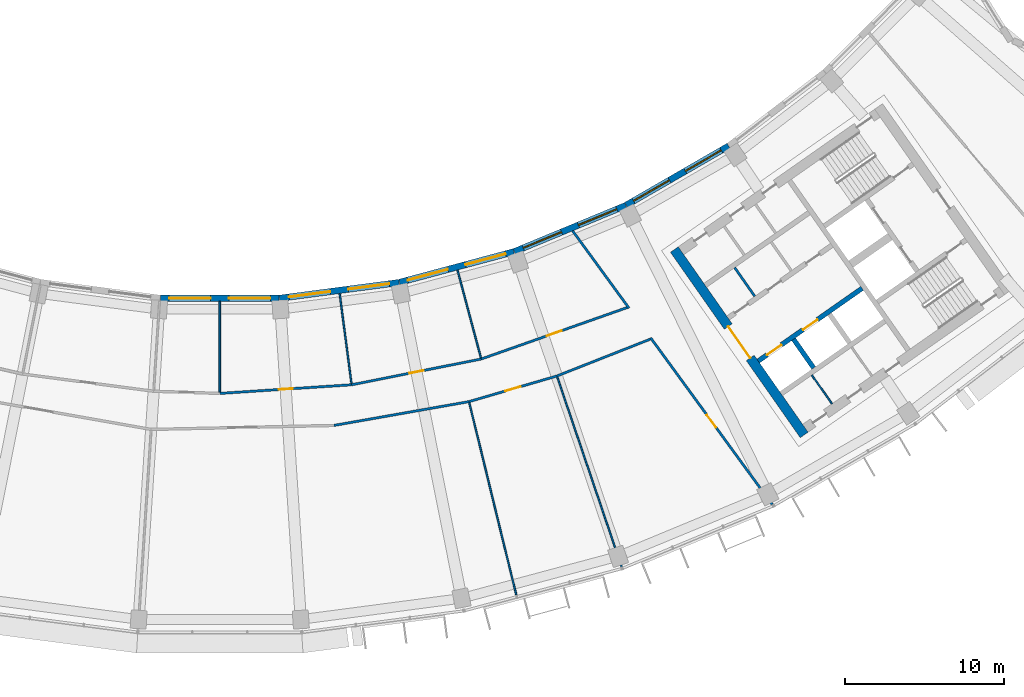
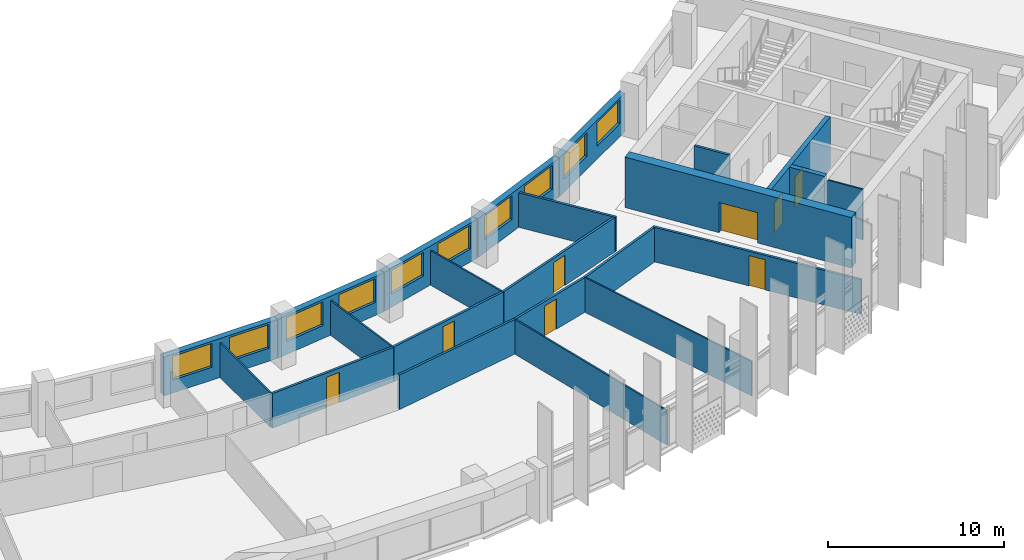
# One storey, part 6 of 28: 23 walls, 10 windows, 8 doors, 18 openings.
"""IFC4 building model written with IfcOpenShell, lengths in metres."""

from ifc_helpers import new_model, si_unit, direction, frame, frame_2d, origin, place, context, subcontext, project, spatial, rectangle, extrude, material, layer, layer_set, type_object, element, fill, save


model = new_model("IFC4")

# Units and contexts
model_context = context("Model", 3, precision=1e-05, world=origin(), true_north=direction((0.0, 1.0)))
body_context = subcontext(model_context, "Body", "Model", "MODEL_VIEW")
ifc_project = project(units=[si_unit("LENGTHUNIT", "METRE"), si_unit("AREAUNIT", "SQUARE_METRE"), si_unit("VOLUMEUNIT", "CUBIC_METRE"), si_unit("PLANEANGLEUNIT", "RADIAN"), si_unit("MASSUNIT", "GRAM", prefix="KILO")], contexts=[model_context])

# Site, building, storey
site_placement = place(None, origin())
site = spatial("IfcSite", under=ifc_project, at=site_placement, CompositionType="ELEMENT")
building_placement = place(site_placement, origin())
building = spatial("IfcBuilding", under=site, at=building_placement, Name="Qamariyya Broadcast Tower", CompositionType="ELEMENT")
storey_placement = place(building_placement, frame((0.0, 0.0, 218.89990234375)))
storey = spatial("IfcBuildingStorey", under=building, at=storey_placement, Name="L52", CompositionType="ELEMENT", Elevation=218.89990234375)

# Wall, opening, door
ifc_material_1 = material(Name="Concrete C60/75", Category="concrete")
ifc_layer_1 = layer(ifc_material_1, 0.60009765625)
ifc_layer_set_1 = layer_set([ifc_layer_1], Name="Core wall 600 mm Concrete C60/75")
wall_type_1 = type_object("IfcWallType", Name="Core wall 600 mm Concrete C60/75", PredefinedType="SHEAR", material=ifc_layer_set_1)
wall_1_placement = place(storey_placement, frame((36.66748046875, -66.005126953125, 0.0), z_axis=(0.0, 0.0, 1.0), x_axis=(-0.573568499524, 0.819157601658, 0.0)))
wall_1 = element("IfcWall", 1, at=wall_1_placement, inside=storey, type_object=wall_type_1, Name="k-E-L52-WA", PredefinedType="SHEAR", context=body_context, shape_type="SweptSolid", body=[
    extrude(rectangle(XDim=14.19970703125, YDim=0.60009765625, at=frame_2d((7.099853515625, 0.0))), origin(), (0.0, 0.0, 1.0), 3.5),
])
opening_1_placement = place(wall_1_placement, frame((5.89990234375, 0.0, 0.0)))
opening_1 = element("IfcOpeningElement", 2, at=opening_1_placement, cuts=wall_1, Name="Opening KD3-E1", PredefinedType="OPENING", context=body_context, shape_type="SweptSolid", body=[
    extrude(rectangle(XDim=2.39990234375, YDim=2.10009765625, at=frame_2d((1.199951171875, 1.050048828125))), frame((0.0, 0.31005859375, 0.0), z_axis=(0.0, -1.0, 0.0), x_axis=(1.0, 0.0, 0.0)), (0.0, 0.0, 1.0), 0.6201171875),
])
ifc_material_2 = material(Name="Steel fire-resisting door leaf", Category="steel")
door_type_1 = type_object("IfcDoorType", Name="Lift lobby door KD3", OperationType="DOUBLE_DOOR_SINGLE_SWING", PredefinedType="DOOR", material=ifc_material_2)
door_1_placement = place(opening_1_placement, origin())
door_1 = element("IfcDoor", 3, at=door_1_placement, inside=storey, type_object=door_type_1, Name="k-E-L52-WA-D1", OperationType="DOUBLE_DOOR_SINGLE_SWING", OverallHeight=2.10009765625, OverallWidth=2.39990234375, PredefinedType="DOOR", context=body_context, shape_type="SweptSolid", body=[
    extrude(rectangle(XDim=2.39990234375, YDim=2.10009765625, at=frame_2d((1.199951171875, 1.050048828125))), frame((0.0, 0.02490234375, 0.0), z_axis=(0.0, -1.0, 0.0), x_axis=(1.0, 0.0, 0.0)), (0.0, 0.0, 1.0), 0.050048828125),
])
fill(opening_1, door_1)

ifc_material_3 = material(Name="Gypsum board partition")
ifc_layer_2 = layer(ifc_material_3, 0.14990234375)
ifc_layer_set_2 = layer_set([ifc_layer_2], Name="Corridor partition 150 EI 60")
wall_type_2 = type_object("IfcWallType", Name="Corridor partition 150 EI 60", PredefinedType="PARTITIONING", material=ifc_layer_set_2)
wall_2_placement = place(storey_placement, frame((0.0, -63.39990234375, 0.0), z_axis=(0.0, 0.0, 1.0), x_axis=(0.997860193426, 0.065383747038, 0.0)))
wall_2 = element("IfcWall", 4, at=wall_2_placement, inside=storey, type_object=wall_type_2, Name="Partition L52-020", PredefinedType="PARTITIONING", context=body_context, shape_type="SweptSolid", body=[
    extrude(rectangle(XDim=8.293212890625, YDim=0.14990234375, at=frame_2d((4.146484375, 0.0))), origin(), (0.0, 0.0, 1.0), 2.400146484375),
])
opening_2_placement = place(wall_2_placement, frame((3.696533203125, 0.0, 0.0)))
opening_2 = element("IfcOpeningElement", 5, at=opening_2_placement, cuts=wall_2, Name="Opening L52-D12", PredefinedType="OPENING", context=body_context, shape_type="SweptSolid", body=[
    extrude(rectangle(XDim=0.89990234375, YDim=2.10009765625, at=frame_2d((0.449951171875, 1.050048828125))), frame((0.0, 0.0849609375, 0.0), z_axis=(0.0, -1.0, 0.0), x_axis=(1.0, 0.0, 0.0)), (0.0, 0.0, 1.0), 0.169921875),
])
ifc_material_4 = material(Name="Timber fire door leaf", Category="wood")
door_type_2 = type_object("IfcDoorType", Name="Fire door 900 x 2100 FD60", OperationType="NOTDEFINED", PredefinedType="DOOR", material=ifc_material_4)
door_2_placement = place(opening_2_placement, origin())
door_2 = element("IfcDoor", 6, at=door_2_placement, inside=storey, type_object=door_type_2, Name="Door L52-D12", OperationType="SINGLE_SWING_RIGHT", OverallHeight=2.10009765625, OverallWidth=0.89990234375, PredefinedType="DOOR", context=body_context, shape_type="SweptSolid", body=[
    extrude(rectangle(XDim=0.89990234375, YDim=2.10009765625, at=frame_2d((0.449951171875, 1.050048828125))), frame((0.0, 0.02490234375, 0.0), z_axis=(0.0, -1.0, 0.0), x_axis=(1.0, 0.0, 0.0)), (0.0, 0.0, 1.0), 0.050048828125),
])
fill(opening_2, door_2)

# Wall
wall_3_placement = place(storey_placement, frame((7.170166015625, -65.407470703125, 0.0), z_axis=(0.0, 0.0, 1.0), x_axis=(0.984816127863, 0.173600674829, 0.0)))
element("IfcWall", 7, at=wall_3_placement, inside=storey, type_object=wall_type_2, Name="Partition L52-022", PredefinedType="PARTITIONING", context=body_context, shape_type="SweptSolid", body=[
    extrude(rectangle(XDim=8.598388671875, YDim=0.14990234375, at=frame_2d((4.29931640625, 0.0))), origin(), (0.0, 0.0, 1.0), 2.400146484375),
])

# Wall, opening, door
wall_4_placement = place(storey_placement, frame((8.275390625, -62.857666015625, 0.0), z_axis=(0.0, 0.0, 1.0), x_axis=(0.98078508005, 0.195091329256, 0.0)))
wall_4 = element("IfcWall", 8, at=wall_4_placement, inside=storey, type_object=wall_type_2, Name="Partition L52-024", PredefinedType="PARTITIONING", context=body_context, shape_type="SweptSolid", body=[
    extrude(rectangle(XDim=8.293212890625, YDim=0.14990234375, at=frame_2d((4.146484375, 0.0))), origin(), (0.0, 0.0, 1.0), 2.400146484375),
])
opening_3_placement = place(wall_4_placement, frame((3.696533203125, 0.0, 0.0)))
opening_3 = element("IfcOpeningElement", 9, at=opening_3_placement, cuts=wall_4, Name="Opening L52-D13", PredefinedType="OPENING", context=body_context, shape_type="SweptSolid", body=[
    extrude(rectangle(XDim=0.89990234375, YDim=2.10009765625, at=frame_2d((0.449951171875, 1.050048828125))), frame((0.0, 0.0849609375, 0.0), z_axis=(0.0, -1.0, 0.0), x_axis=(1.0, 0.0, 0.0)), (0.0, 0.0, 1.0), 0.169921875),
])
door_3_placement = place(opening_3_placement, origin())
door_3 = element("IfcDoor", 10, at=door_3_placement, inside=storey, type_object=door_type_2, Name="Door L52-D13", OperationType="SINGLE_SWING_RIGHT", OverallHeight=2.10009765625, OverallWidth=0.89990234375, PredefinedType="DOOR", context=body_context, shape_type="SweptSolid", body=[
    extrude(rectangle(XDim=0.89990234375, YDim=2.10009765625, at=frame_2d((0.449951171875, 1.050048828125))), frame((0.0, 0.02490234375, 0.0), z_axis=(0.0, -1.0, 0.0), x_axis=(1.0, 0.0, 0.0)), (0.0, 0.0, 1.0), 0.050048828125),
])
fill(opening_3, door_3)

wall_5_placement = place(storey_placement, frame((21.150634765625, -62.30810546875, 0.0), z_axis=(0.0, 0.0, 1.0), x_axis=(-0.960055220634, -0.279810602612, 0.0)))
wall_5 = element("IfcWall", 11, at=wall_5_placement, inside=storey, type_object=wall_type_2, Name="Partition L52-026", PredefinedType="PARTITIONING", context=body_context, shape_type="SweptSolid", body=[
    extrude(rectangle(XDim=5.741943359375, YDim=0.14990234375, at=frame_2d((2.87109375, 0.0))), origin(), (0.0, 0.0, 1.0), 2.400146484375),
])
opening_4_placement = place(wall_5_placement, frame((2.37109375, 0.0, 0.0)))
opening_4 = element("IfcOpeningElement", 12, at=opening_4_placement, cuts=wall_5, Name="Opening L52-D05", PredefinedType="OPENING", context=body_context, shape_type="SweptSolid", body=[
    extrude(rectangle(XDim=1.0, YDim=2.10009765625, at=frame_2d((0.5, 1.050048828125))), frame((0.0, 0.0849609375, 0.0), z_axis=(0.0, -1.0, 0.0), x_axis=(1.0, 0.0, 0.0)), (0.0, 0.0, 1.0), 0.169921875),
])
door_type_3 = type_object("IfcDoorType", Name="Fire door 1000 x 2100 FD60", OperationType="NOTDEFINED", PredefinedType="DOOR", material=ifc_material_4)
door_4_placement = place(opening_4_placement, origin())
door_4 = element("IfcDoor", 13, at=door_4_placement, inside=storey, type_object=door_type_3, Name="Door L52-D05", OperationType="SINGLE_SWING_RIGHT", OverallHeight=2.10009765625, OverallWidth=1.0, PredefinedType="DOOR", context=body_context, shape_type="SweptSolid", body=[
    extrude(rectangle(XDim=1.0, YDim=2.10009765625, at=frame_2d((0.5, 1.050048828125))), frame((0.0, 0.02490234375, 0.0), z_axis=(0.0, -1.0, 0.0), x_axis=(1.0, 0.0, 0.0)), (0.0, 0.0, 1.0), 0.050048828125),
])
fill(opening_4, door_4)

wall_6_placement = place(storey_placement, frame((16.4091796875, -61.23974609375, 0.0), z_axis=(0.0, 0.0, 1.0), x_axis=(0.943087830275, 0.332543748081, 0.0)))
wall_6 = element("IfcWall", 14, at=wall_6_placement, inside=storey, type_object=wall_type_2, Name="Partition L52-027", PredefinedType="PARTITIONING", context=body_context, shape_type="SweptSolid", body=[
    extrude(rectangle(XDim=9.7041015625, YDim=0.14990234375, at=frame_2d((4.85205078125, 0.0))), origin(), (0.0, 0.0, 1.0), 2.400146484375),
])
opening_5_placement = place(wall_6_placement, frame((4.35205078125, 0.0, 0.0)))
opening_5 = element("IfcOpeningElement", 15, at=opening_5_placement, cuts=wall_6, Name="Opening L52-D14", PredefinedType="OPENING", context=body_context, shape_type="SweptSolid", body=[
    extrude(rectangle(XDim=1.0, YDim=2.10009765625, at=frame_2d((0.5, 1.050048828125))), frame((0.0, 0.0849609375, 0.0), z_axis=(0.0, -1.0, 0.0), x_axis=(1.0, 0.0, 0.0)), (0.0, 0.0, 1.0), 0.169921875),
])
door_5_placement = place(opening_5_placement, origin())
door_5 = element("IfcDoor", 16, at=door_5_placement, inside=storey, type_object=door_type_3, Name="Door L52-D14", OperationType="SINGLE_SWING_RIGHT", OverallHeight=2.10009765625, OverallWidth=1.0, PredefinedType="DOOR", context=body_context, shape_type="SweptSolid", body=[
    extrude(rectangle(XDim=1.0, YDim=2.10009765625, at=frame_2d((0.5, 1.050048828125))), frame((0.0, 0.02490234375, 0.0), z_axis=(0.0, -1.0, 0.0), x_axis=(1.0, 0.0, 0.0)), (0.0, 0.0, 1.0), 0.050048828125),
])
fill(opening_5, door_5)

# Walls
wall_7_placement = place(storey_placement, frame((21.150634765625, -62.30810546875, 0.0), z_axis=(0.0, 0.0, 1.0), x_axis=(0.930254850636, 0.366914040162, 0.0)))
element("IfcWall", 17, at=wall_7_placement, inside=storey, type_object=wall_type_2, Name="Partition L52-029", PredefinedType="PARTITIONING", context=body_context, shape_type="SweptSolid", body=[
    extrude(rectangle(XDim=6.296630859375, YDim=0.14990234375, at=frame_2d((3.1484375, 0.0))), origin(), (0.0, 0.0, 1.0), 2.400146484375),
])
wall_8_placement = place(storey_placement, frame((22.135498046875, -53.1943359375, 0.0), z_axis=(0.0, 0.0, 1.0), x_axis=(0.589297062476, -0.807916438846, 0.0)))
element("IfcWall", 18, at=wall_8_placement, inside=storey, type_object=wall_type_2, Name="Partition L52-030", PredefinedType="PARTITIONING", context=body_context, shape_type="SweptSolid", body=[
    extrude(rectangle(XDim=6.008056640625, YDim=0.14990234375, at=frame_2d((3.00390625, 0.0))), origin(), (0.0, 0.0, 1.0), 2.400146484375),
])

# Wall, opening, door
wall_9_placement = place(storey_placement, frame((34.668212890625, -70.37744140625, 0.0), z_axis=(0.0, 0.0, 1.0), x_axis=(-0.589273648147, 0.807933516819, 0.0)))
wall_9 = element("IfcWall", 19, at=wall_9_placement, inside=storey, type_object=wall_type_2, Name="Partition L52-032", PredefinedType="PARTITIONING", context=body_context, shape_type="SweptSolid", body=[
    extrude(rectangle(XDim=12.956298828125, YDim=0.14990234375, at=frame_2d((6.47802734375, 0.0))), origin(), (0.0, 0.0, 1.0), 2.400146484375),
])
opening_6_placement = place(wall_9_placement, frame((5.97802734375, 0.0, 0.0)))
opening_6 = element("IfcOpeningElement", 20, at=opening_6_placement, cuts=wall_9, Name="Opening L52-D06", PredefinedType="OPENING", context=body_context, shape_type="SweptSolid", body=[
    extrude(rectangle(XDim=1.0, YDim=2.10009765625, at=frame_2d((0.5, 1.050048828125))), frame((0.0, 0.0849609375, 0.0), z_axis=(0.0, -1.0, 0.0), x_axis=(1.0, 0.0, 0.0)), (0.0, 0.0, 1.0), 0.169921875),
])
door_6_placement = place(opening_6_placement, origin())
door_6 = element("IfcDoor", 21, at=door_6_placement, inside=storey, type_object=door_type_3, Name="Door L52-D06", OperationType="SINGLE_SWING_RIGHT", OverallHeight=2.10009765625, OverallWidth=1.0, PredefinedType="DOOR", context=body_context, shape_type="SweptSolid", body=[
    extrude(rectangle(XDim=1.0, YDim=2.10009765625, at=frame_2d((0.5, 1.050048828125))), frame((0.0, 0.02490234375, 0.0), z_axis=(0.0, -1.0, 0.0), x_axis=(1.0, 0.0, 0.0)), (0.0, 0.0, 1.0), 0.050048828125),
])
fill(opening_6, door_6)

# Wall
ifc_material_5 = material(Name="Gypsum board partition on steel studs", Category="steel")
ifc_layer_3 = layer(ifc_material_5, 0.14990234375)
ifc_layer_set_3 = layer_set([ifc_layer_3], Name="Gypsum board partition 150 mm")
wall_type_3 = type_object("IfcWallType", Name="Gypsum board partition 150 mm", PredefinedType="PARTITIONING", material=ifc_layer_set_3)
wall_10_placement = place(storey_placement, frame((33.569580078125, -57.3095703125, 0.0), z_axis=(0.0, 0.0, 1.0), x_axis=(-0.573507030513, 0.819200638399, 0.0)))
element("IfcWall", 22, at=wall_10_placement, inside=storey, type_object=wall_type_3, Name="k-E-L52-NC215", PredefinedType="PARTITIONING", context=body_context, shape_type="SweptSolid", body=[
    extrude(rectangle(XDim=2.199951171875, YDim=0.14990234375, at=frame_2d((1.10009765625, 0.0))), origin(), (0.0, 0.0, 1.0), 3.5),
])

# Wall, openings, doors
ifc_layer_4 = layer(ifc_material_1, 0.300048828125)
ifc_layer_set_4 = layer_set([ifc_layer_4], Name="Lift shaft wall 300 mm Concrete C60/75")
wall_type_4 = type_object("IfcWallType", Name="Lift shaft wall 300 mm Concrete C60/75", PredefinedType="SOLIDWALL", material=ifc_layer_set_4)
wall_11_placement = place(storey_placement, frame((33.787353515625, -61.368896484375, 0.0), z_axis=(0.0, 0.0, 1.0), x_axis=(0.819152564888, 0.573575692858, 0.0)))
wall_11 = element("IfcWall", 23, at=wall_11_placement, inside=storey, type_object=wall_type_4, Name="k-E-L52-SF0", PredefinedType="SOLIDWALL", context=body_context, shape_type="SweptSolid", body=[
    extrude(rectangle(XDim=7.9501953125, YDim=0.300048828125, at=frame_2d((3.97509765625, 0.0))), origin(), (0.0, 0.0, 1.0), 3.5),
])
opening_7_placement = place(wall_11_placement, frame((0.675048828125, 0.0, 0.0)))
opening_7 = element("IfcOpeningElement", 24, at=opening_7_placement, cuts=wall_11, Name="Opening LD", PredefinedType="OPENING", context=body_context, shape_type="SweptSolid", body=[
    extrude(rectangle(XDim=1.10009765625, YDim=2.10009765625, at=frame_2d((0.550048828125, 1.050048828125))), frame((0.0, 0.159912109375, 0.0), z_axis=(0.0, -1.0, 0.0), x_axis=(1.0, 0.0, 0.0)), (0.0, 0.0, 1.0), 0.320068359375),
])
opening_8_placement = place(wall_11_placement, frame((3.425048828125, 0.0, 0.0)))
opening_8 = element("IfcOpeningElement", 25, at=opening_8_placement, cuts=wall_11, Name="Opening LD", PredefinedType="OPENING", context=body_context, shape_type="SweptSolid", body=[
    extrude(rectangle(XDim=1.10009765625, YDim=2.10009765625, at=frame_2d((0.550048828125, 1.050048828125))), frame((0.0, 0.159912109375, 0.0), z_axis=(0.0, -1.0, 0.0), x_axis=(1.0, 0.0, 0.0)), (0.0, 0.0, 1.0), 0.320068359375),
])
door_type_4 = type_object("IfcDoorType", Name="Lift landing door LD", OperationType="DOUBLE_DOOR_SLIDING", PredefinedType="DOOR", material=ifc_material_2)
door_7_placement = place(opening_7_placement, origin())
door_7 = element("IfcDoor", 26, at=door_7_placement, inside=storey, type_object=door_type_4, Name="k-E-L52-SF0-D5", OperationType="DOUBLE_DOOR_SLIDING", OverallHeight=2.10009765625, OverallWidth=1.10009765625, PredefinedType="DOOR", context=body_context, shape_type="SweptSolid", body=[
    extrude(rectangle(XDim=1.10009765625, YDim=2.10009765625, at=frame_2d((0.550048828125, 1.050048828125))), frame((0.0, 0.02490234375, 0.0), z_axis=(0.0, -1.0, 0.0), x_axis=(1.0, 0.0, 0.0)), (0.0, 0.0, 1.0), 0.050048828125),
])
fill(opening_7, door_7)
door_8_placement = place(opening_8_placement, origin())
door_8 = element("IfcDoor", 27, at=door_8_placement, inside=storey, type_object=door_type_4, Name="k-E-L52-SF0-D6", OperationType="DOUBLE_DOOR_SLIDING", OverallHeight=2.10009765625, OverallWidth=1.10009765625, PredefinedType="DOOR", context=body_context, shape_type="SweptSolid", body=[
    extrude(rectangle(XDim=1.10009765625, YDim=2.10009765625, at=frame_2d((0.550048828125, 1.050048828125))), frame((0.0, 0.02490234375, 0.0), z_axis=(0.0, -1.0, 0.0), x_axis=(1.0, 0.0, 0.0)), (0.0, 0.0, 1.0), 0.050048828125),
])
fill(opening_8, door_8)

# Walls
wall_12_placement = place(storey_placement, frame((36.003173828125, -60.000244140625, 0.0), z_axis=(0.0, 0.0, 1.0), x_axis=(0.573581496053, -0.819148501424, 0.0)))
element("IfcWall", 28, at=wall_12_placement, inside=storey, type_object=wall_type_4, Name="k-E-L52-SD0", PredefinedType="SOLIDWALL", context=body_context, shape_type="SweptSolid", body=[
    extrude(rectangle(XDim=2.2001953125, YDim=0.300048828125, at=frame_2d((1.10009765625, 0.0))), origin(), (0.0, 0.0, 1.0), 3.5),
])
ifc_layer_5 = layer(ifc_material_3, 0.10009765625)
ifc_layer_set_5 = layer_set([ifc_layer_5], Name="Partition 100")
wall_type_5 = type_object("IfcWallType", Name="Partition 100", PredefinedType="PARTITIONING", material=ifc_layer_set_5)
for number, where, z_axis, x_axis, name in (
    (29, (0.0, -57.627197265625, 0.0), (0.0, 0.0, 1.0), (0.0, -1.0, 0.0), "Partition L52-021"),
    (30, (7.52197265625, -57.13427734375, 0.0), (0.0, 0.0, 1.0), (0.130518800749, -0.991445834451, 0.0), "Partition L52-023"),
    (31, (14.9150390625, -55.66357421875, 0.0), (0.0, 0.0, 1.0), (0.258803907589, -0.965929882247, 0.0), "Partition L52-025"),
):
    element("IfcWall", number, at=place(storey_placement, frame(where, z_axis=z_axis, x_axis=x_axis)), inside=storey, type_object=wall_type_5, Name=name, PredefinedType="PARTITIONING", context=body_context, shape_type="SweptSolid", body=[
        extrude(rectangle(XDim=5.69775390625, YDim=0.10009765625, at=frame_2d((2.848876953125, 0.0))), origin(), (0.0, 0.0, 1.0), 2.400146484375),
    ])
wall_13_placement = place(storey_placement, frame((18.60888671875, -76.056884765625, 0.0), z_axis=(0.0, 0.0, 1.0), x_axis=(-0.237668980718, 0.971346207901, 0.0)))
element("IfcWall", 32, at=wall_13_placement, inside=storey, type_object=wall_type_5, Name="Partition L52-028", PredefinedType="PARTITIONING", context=body_context, shape_type="SweptSolid", body=[
    extrude(rectangle(XDim=12.42529296875, YDim=0.10009765625, at=frame_2d((6.212646484375, 0.0))), origin(), (0.0, 0.0, 1.0), 2.400146484375),
])
wall_14_placement = place(storey_placement, frame((25.217041015625, -74.28662109375, 0.0), z_axis=(0.0, 0.0, 1.0), x_axis=(-0.321447438057, 0.946927423072, 0.0)))
element("IfcWall", 33, at=wall_14_placement, inside=storey, type_object=wall_type_5, Name="Partition L52-031", PredefinedType="PARTITIONING", context=body_context, shape_type="SweptSolid", body=[
    extrude(rectangle(XDim=12.5751953125, YDim=0.10009765625, at=frame_2d((6.28759765625, 0.0))), origin(), (0.0, 0.0, 1.0), 2.400146484375),
])
ifc_material_6 = material(Name="Fire-rated gypsum shaft liner on steel studs", Category="steel")
ifc_layer_6 = layer(ifc_material_6, 0.10009765625)
ifc_layer_set_6 = layer_set([ifc_layer_6], Name="Riser wall 100 mm")
wall_type_6 = type_object("IfcWallType", Name="Riser wall 100 mm", PredefinedType="PLUMBINGWALL", material=ifc_layer_set_6)
wall_15_placement = place(storey_placement, frame((37.150390625, -62.2490234375, 0.0), z_axis=(0.0, 0.0, 1.0), x_axis=(0.573633636671, -0.819111989218, 0.0)))
element("IfcWall", 34, at=wall_15_placement, inside=storey, type_object=wall_type_6, Name="k-E-L52-SP225", PredefinedType="PLUMBINGWALL", context=body_context, shape_type="SweptSolid", body=[
    extrude(rectangle(XDim=2.199951171875, YDim=0.10009765625, at=frame_2d((1.10009765625, 0.0))), origin(), (0.0, 0.0, 1.0), 3.5),
])

# Wall, openings, windows
ifc_material_7 = material(Name="Terracotta", Category="masonry")
ifc_layer_7 = layer(ifc_material_7, 0.39990234375)
ifc_layer_set_7 = layer_set([ifc_layer_7], Name="Terracotta clad wall 400")
wall_type_7 = type_object("IfcWallType", Name="Terracotta clad wall 400", PredefinedType="SOLIDWALL", material=ifc_layer_set_7)
wall_16_placement = place(storey_placement, frame((18.449951171875, -54.50927734375, 0.0), z_axis=(0.0, 0.0, 1.0), x_axis=(-0.965924866111, -0.25882262851, 0.0)))
wall_16 = element("IfcWall", 35, at=wall_16_placement, inside=storey, type_object=wall_type_7, Name="e-wl-L52-in100", PredefinedType="SOLIDWALL", context=body_context, shape_type="SweptSolid", body=[
    extrude(rectangle(XDim=7.426513671875, YDim=0.39990234375, at=frame_2d((3.71337890625, 0.0))), origin(), (0.0, 0.0, 1.0), 2.7001953125),
])
opening_9_placement = place(wall_16_placement, frame((4.28857421875, 0.0, 0.89990234375)))
opening_9 = element("IfcOpeningElement", 36, at=opening_9_placement, cuts=wall_16, Name="Opening W1", PredefinedType="OPENING", context=body_context, shape_type="SweptSolid", body=[
    extrude(rectangle(XDim=2.60009765625, YDim=1.64990234375, at=frame_2d((1.300048828125, 0.824951171875))), frame((0.0, 0.2099609375, 0.0), z_axis=(0.0, -1.0, 0.0), x_axis=(1.0, 0.0, 0.0)), (0.0, 0.0, 1.0), 0.419921875),
])
opening_10_placement = place(wall_16_placement, frame((0.537841796875, 0.0, 0.89990234375)))
opening_10 = element("IfcOpeningElement", 37, at=opening_10_placement, cuts=wall_16, Name="Opening W1", PredefinedType="OPENING", context=body_context, shape_type="SweptSolid", body=[
    extrude(rectangle(XDim=2.60009765625, YDim=1.64990234375, at=frame_2d((1.300048828125, 0.824951171875))), frame((0.0, 0.2099609375, 0.0), z_axis=(0.0, -1.0, 0.0), x_axis=(1.0, 0.0, 0.0)), (0.0, 0.0, 1.0), 0.419921875),
])
ifc_material_8 = material(Name="Clear low-e double glazed unit in aluminium frame", Category="aluminium")
window_type = type_object("IfcWindowType", Name="Ribbon window 2600 x 1650", PartitioningType="SINGLE_PANEL", PredefinedType="WINDOW", material=ifc_material_8)
window_1_placement = place(opening_9_placement, origin())
window_1 = element("IfcWindow", 38, at=window_1_placement, inside=storey, type_object=window_type, Name="e-w-L52-in10-0", OverallHeight=1.64990234375, OverallWidth=2.60009765625, PartitioningType="SINGLE_PANEL", PredefinedType="WINDOW", context=body_context, shape_type="SweptSolid", body=[
    extrude(rectangle(XDim=2.60009765625, YDim=1.64990234375, at=frame_2d((1.300048828125, 0.824951171875))), frame((0.0, 0.030029296875, 0.0), z_axis=(0.0, -1.0, 0.0), x_axis=(1.0, 0.0, 0.0)), (0.0, 0.0, 1.0), 0.06005859375),
])
fill(opening_9, window_1)
window_2_placement = place(opening_10_placement, origin())
window_2 = element("IfcWindow", 39, at=window_2_placement, inside=storey, type_object=window_type, Name="e-w-L52-in10-1", OverallHeight=1.64990234375, OverallWidth=2.60009765625, PartitioningType="SINGLE_PANEL", PredefinedType="WINDOW", context=body_context, shape_type="SweptSolid", body=[
    extrude(rectangle(XDim=2.60009765625, YDim=1.64990234375, at=frame_2d((1.300048828125, 0.824951171875))), frame((0.0, 0.030029296875, 0.0), z_axis=(0.0, -1.0, 0.0), x_axis=(1.0, 0.0, 0.0)), (0.0, 0.0, 1.0), 0.06005859375),
])
fill(opening_10, window_2)

wall_17_placement = place(storey_placement, frame((25.47705078125, -51.60595703125, 0.0), z_axis=(0.0, 0.0, 1.0), x_axis=(-0.923884115122, -0.382672368777, 0.0)))
wall_17 = element("IfcWall", 40, at=wall_17_placement, inside=storey, type_object=wall_type_7, Name="e-wl-L52-in110", PredefinedType="SOLIDWALL", context=body_context, shape_type="SweptSolid", body=[
    extrude(rectangle(XDim=7.578125, YDim=0.39990234375, at=frame_2d((3.7890625, 0.0))), origin(), (0.0, 0.0, 1.0), 2.7001953125),
])
opening_11_placement = place(wall_17_placement, frame((4.364501953125, 0.0, 0.89990234375)))
opening_11 = element("IfcOpeningElement", 41, at=opening_11_placement, cuts=wall_17, Name="Opening W1", PredefinedType="OPENING", context=body_context, shape_type="SweptSolid", body=[
    extrude(rectangle(XDim=2.60009765625, YDim=1.64990234375, at=frame_2d((1.300048828125, 0.824951171875))), frame((0.0, 0.2099609375, 0.0), z_axis=(0.0, -1.0, 0.0), x_axis=(1.0, 0.0, 0.0)), (0.0, 0.0, 1.0), 0.419921875),
])
opening_12_placement = place(wall_17_placement, frame((0.613525390625, 0.0, 0.89990234375)))
opening_12 = element("IfcOpeningElement", 42, at=opening_12_placement, cuts=wall_17, Name="Opening W1", PredefinedType="OPENING", context=body_context, shape_type="SweptSolid", body=[
    extrude(rectangle(XDim=2.60009765625, YDim=1.64990234375, at=frame_2d((1.300048828125, 0.824951171875))), frame((0.0, 0.2099609375, 0.0), z_axis=(0.0, -1.0, 0.0), x_axis=(1.0, 0.0, 0.0)), (0.0, 0.0, 1.0), 0.419921875),
])
window_3_placement = place(opening_11_placement, origin())
window_3 = element("IfcWindow", 43, at=window_3_placement, inside=storey, type_object=window_type, Name="e-w-L52-in11-0", OverallHeight=1.64990234375, OverallWidth=2.60009765625, PartitioningType="SINGLE_PANEL", PredefinedType="WINDOW", context=body_context, shape_type="SweptSolid", body=[
    extrude(rectangle(XDim=2.60009765625, YDim=1.64990234375, at=frame_2d((1.300048828125, 0.824951171875))), frame((0.0, 0.030029296875, 0.0), z_axis=(0.0, -1.0, 0.0), x_axis=(1.0, 0.0, 0.0)), (0.0, 0.0, 1.0), 0.06005859375),
])
fill(opening_11, window_3)
window_4_placement = place(opening_12_placement, origin())
window_4 = element("IfcWindow", 44, at=window_4_placement, inside=storey, type_object=window_type, Name="e-w-L52-in11-1", OverallHeight=1.64990234375, OverallWidth=2.60009765625, PartitioningType="SINGLE_PANEL", PredefinedType="WINDOW", context=body_context, shape_type="SweptSolid", body=[
    extrude(rectangle(XDim=2.60009765625, YDim=1.64990234375, at=frame_2d((1.300048828125, 0.824951171875))), frame((0.0, 0.030029296875, 0.0), z_axis=(0.0, -1.0, 0.0), x_axis=(1.0, 0.0, 0.0)), (0.0, 0.0, 1.0), 0.06005859375),
])
fill(opening_12, window_4)

wall_18_placement = place(storey_placement, frame((31.929443359375, -47.876708984375, 0.0), z_axis=(0.0, 0.0, 1.0), x_axis=(-0.866021353871, -0.500007014591, 0.0)))
wall_18 = element("IfcWall", 45, at=wall_18_placement, inside=storey, type_object=wall_type_7, Name="e-wl-L52-in120", PredefinedType="SOLIDWALL", context=body_context, shape_type="SweptSolid", body=[
    extrude(rectangle(XDim=7.4267578125, YDim=0.39990234375, at=frame_2d((3.71337890625, 0.0))), origin(), (0.0, 0.0, 1.0), 2.7001953125),
])
opening_13_placement = place(wall_18_placement, frame((4.28857421875, 0.0, 0.89990234375)))
opening_13 = element("IfcOpeningElement", 46, at=opening_13_placement, cuts=wall_18, Name="Opening W1", PredefinedType="OPENING", context=body_context, shape_type="SweptSolid", body=[
    extrude(rectangle(XDim=2.60009765625, YDim=1.64990234375, at=frame_2d((1.300048828125, 0.824951171875))), frame((0.0, 0.2099609375, 0.0), z_axis=(0.0, -1.0, 0.0), x_axis=(1.0, 0.0, 0.0)), (0.0, 0.0, 1.0), 0.419921875),
])
opening_14_placement = place(wall_18_placement, frame((0.537841796875, 0.0, 0.89990234375)))
opening_14 = element("IfcOpeningElement", 47, at=opening_14_placement, cuts=wall_18, Name="Opening W1", PredefinedType="OPENING", context=body_context, shape_type="SweptSolid", body=[
    extrude(rectangle(XDim=2.60009765625, YDim=1.64990234375, at=frame_2d((1.300048828125, 0.824951171875))), frame((0.0, 0.2099609375, 0.0), z_axis=(0.0, -1.0, 0.0), x_axis=(1.0, 0.0, 0.0)), (0.0, 0.0, 1.0), 0.419921875),
])
window_5_placement = place(opening_13_placement, origin())
window_5 = element("IfcWindow", 48, at=window_5_placement, inside=storey, type_object=window_type, Name="e-w-L52-in12-0", OverallHeight=1.64990234375, OverallWidth=2.60009765625, PartitioningType="SINGLE_PANEL", PredefinedType="WINDOW", context=body_context, shape_type="SweptSolid", body=[
    extrude(rectangle(XDim=2.60009765625, YDim=1.64990234375, at=frame_2d((1.300048828125, 0.824951171875))), frame((0.0, 0.030029296875, 0.0), z_axis=(0.0, -1.0, 0.0), x_axis=(1.0, 0.0, 0.0)), (0.0, 0.0, 1.0), 0.06005859375),
])
fill(opening_13, window_5)
window_6_placement = place(opening_14_placement, origin())
window_6 = element("IfcWindow", 49, at=window_6_placement, inside=storey, type_object=window_type, Name="e-w-L52-in12-1", OverallHeight=1.64990234375, OverallWidth=2.60009765625, PartitioningType="SINGLE_PANEL", PredefinedType="WINDOW", context=body_context, shape_type="SweptSolid", body=[
    extrude(rectangle(XDim=2.60009765625, YDim=1.64990234375, at=frame_2d((1.300048828125, 0.824951171875))), frame((0.0, 0.030029296875, 0.0), z_axis=(0.0, -1.0, 0.0), x_axis=(1.0, 0.0, 0.0)), (0.0, 0.0, 1.0), 0.06005859375),
])
fill(opening_14, window_6)

wall_19_placement = place(storey_placement, frame((3.713134765625, -57.42724609375, 0.0), z_axis=(0.0, 0.0, 1.0), x_axis=(-1.0, 0.0, 0.0)))
wall_19 = element("IfcWall", 50, at=wall_19_placement, inside=storey, type_object=wall_type_7, Name="e-wl-L52-in80", PredefinedType="SOLIDWALL", context=body_context, shape_type="SweptSolid", body=[
    extrude(rectangle(XDim=7.42626953125, YDim=0.39990234375, at=frame_2d((3.713134765625, 0.0))), origin(), (0.0, 0.0, 1.0), 2.7001953125),
])
opening_15_placement = place(wall_19_placement, frame((4.28857421875, 0.0, 0.89990234375)))
opening_15 = element("IfcOpeningElement", 51, at=opening_15_placement, cuts=wall_19, Name="Opening W1", PredefinedType="OPENING", context=body_context, shape_type="SweptSolid", body=[
    extrude(rectangle(XDim=2.60009765625, YDim=1.64990234375, at=frame_2d((1.300048828125, 0.824951171875))), frame((0.0, 0.2099609375, 0.0), z_axis=(0.0, -1.0, 0.0), x_axis=(1.0, 0.0, 0.0)), (0.0, 0.0, 1.0), 0.419921875),
])
opening_16_placement = place(wall_19_placement, frame((0.537841796875, 0.0, 0.89990234375)))
opening_16 = element("IfcOpeningElement", 52, at=opening_16_placement, cuts=wall_19, Name="Opening W1", PredefinedType="OPENING", context=body_context, shape_type="SweptSolid", body=[
    extrude(rectangle(XDim=2.60009765625, YDim=1.64990234375, at=frame_2d((1.300048828125, 0.824951171875))), frame((0.0, 0.2099609375, 0.0), z_axis=(0.0, -1.0, 0.0), x_axis=(1.0, 0.0, 0.0)), (0.0, 0.0, 1.0), 0.419921875),
])
window_7_placement = place(opening_15_placement, origin())
window_7 = element("IfcWindow", 53, at=window_7_placement, inside=storey, type_object=window_type, Name="e-w-L52-in08-0", OverallHeight=1.64990234375, OverallWidth=2.60009765625, PartitioningType="SINGLE_PANEL", PredefinedType="WINDOW", context=body_context, shape_type="SweptSolid", body=[
    extrude(rectangle(XDim=2.60009765625, YDim=1.64990234375, at=frame_2d((1.300048828125, 0.824951171875))), frame((0.0, 0.030029296875, 0.0), z_axis=(0.0, -1.0, 0.0), x_axis=(1.0, 0.0, 0.0)), (0.0, 0.0, 1.0), 0.06005859375),
])
fill(opening_15, window_7)
window_8_placement = place(opening_16_placement, origin())
window_8 = element("IfcWindow", 54, at=window_8_placement, inside=storey, type_object=window_type, Name="e-w-L52-in08-1", OverallHeight=1.64990234375, OverallWidth=2.60009765625, PartitioningType="SINGLE_PANEL", PredefinedType="WINDOW", context=body_context, shape_type="SweptSolid", body=[
    extrude(rectangle(XDim=2.60009765625, YDim=1.64990234375, at=frame_2d((1.300048828125, 0.824951171875))), frame((0.0, 0.030029296875, 0.0), z_axis=(0.0, -1.0, 0.0), x_axis=(1.0, 0.0, 0.0)), (0.0, 0.0, 1.0), 0.06005859375),
])
fill(opening_16, window_8)

wall_20_placement = place(storey_placement, frame((11.252197265625, -56.44140625, 0.0), z_axis=(0.0, 0.0, 1.0), x_axis=(-0.991446288508, -0.130515351599, 0.0)))
wall_20 = element("IfcWall", 55, at=wall_20_placement, inside=storey, type_object=wall_type_7, Name="e-wl-L52-in90", PredefinedType="SOLIDWALL", context=body_context, shape_type="SweptSolid", body=[
    extrude(rectangle(XDim=7.57763671875, YDim=0.39990234375, at=frame_2d((3.788818359375, 0.0))), origin(), (0.0, 0.0, 1.0), 2.7001953125),
])
opening_17_placement = place(wall_20_placement, frame((4.364501953125, 0.0, 0.89990234375)))
opening_17 = element("IfcOpeningElement", 56, at=opening_17_placement, cuts=wall_20, Name="Opening W1", PredefinedType="OPENING", context=body_context, shape_type="SweptSolid", body=[
    extrude(rectangle(XDim=2.60009765625, YDim=1.64990234375, at=frame_2d((1.300048828125, 0.824951171875))), frame((0.0, 0.2099609375, 0.0), z_axis=(0.0, -1.0, 0.0), x_axis=(1.0, 0.0, 0.0)), (0.0, 0.0, 1.0), 0.419921875),
])
opening_18_placement = place(wall_20_placement, frame((0.613525390625, 0.0, 0.89990234375)))
opening_18 = element("IfcOpeningElement", 57, at=opening_18_placement, cuts=wall_20, Name="Opening W1", PredefinedType="OPENING", context=body_context, shape_type="SweptSolid", body=[
    extrude(rectangle(XDim=2.60009765625, YDim=1.64990234375, at=frame_2d((1.300048828125, 0.824951171875))), frame((0.0, 0.2099609375, 0.0), z_axis=(0.0, -1.0, 0.0), x_axis=(1.0, 0.0, 0.0)), (0.0, 0.0, 1.0), 0.419921875),
])
window_9_placement = place(opening_17_placement, origin())
window_9 = element("IfcWindow", 58, at=window_9_placement, inside=storey, type_object=window_type, Name="e-w-L52-in09-0", OverallHeight=1.64990234375, OverallWidth=2.60009765625, PartitioningType="SINGLE_PANEL", PredefinedType="WINDOW", context=body_context, shape_type="SweptSolid", body=[
    extrude(rectangle(XDim=2.60009765625, YDim=1.64990234375, at=frame_2d((1.300048828125, 0.824951171875))), frame((0.0, 0.030029296875, 0.0), z_axis=(0.0, -1.0, 0.0), x_axis=(1.0, 0.0, 0.0)), (0.0, 0.0, 1.0), 0.06005859375),
])
fill(opening_17, window_9)
window_10_placement = place(opening_18_placement, origin())
window_10 = element("IfcWindow", 59, at=window_10_placement, inside=storey, type_object=window_type, Name="e-w-L52-in09-1", OverallHeight=1.64990234375, OverallWidth=2.60009765625, PartitioningType="SINGLE_PANEL", PredefinedType="WINDOW", context=body_context, shape_type="SweptSolid", body=[
    extrude(rectangle(XDim=2.60009765625, YDim=1.64990234375, at=frame_2d((1.300048828125, 0.824951171875))), frame((0.0, 0.030029296875, 0.0), z_axis=(0.0, -1.0, 0.0), x_axis=(1.0, 0.0, 0.0)), (0.0, 0.0, 1.0), 0.06005859375),
])
fill(opening_18, window_10)

save(model, "model.ifc")
